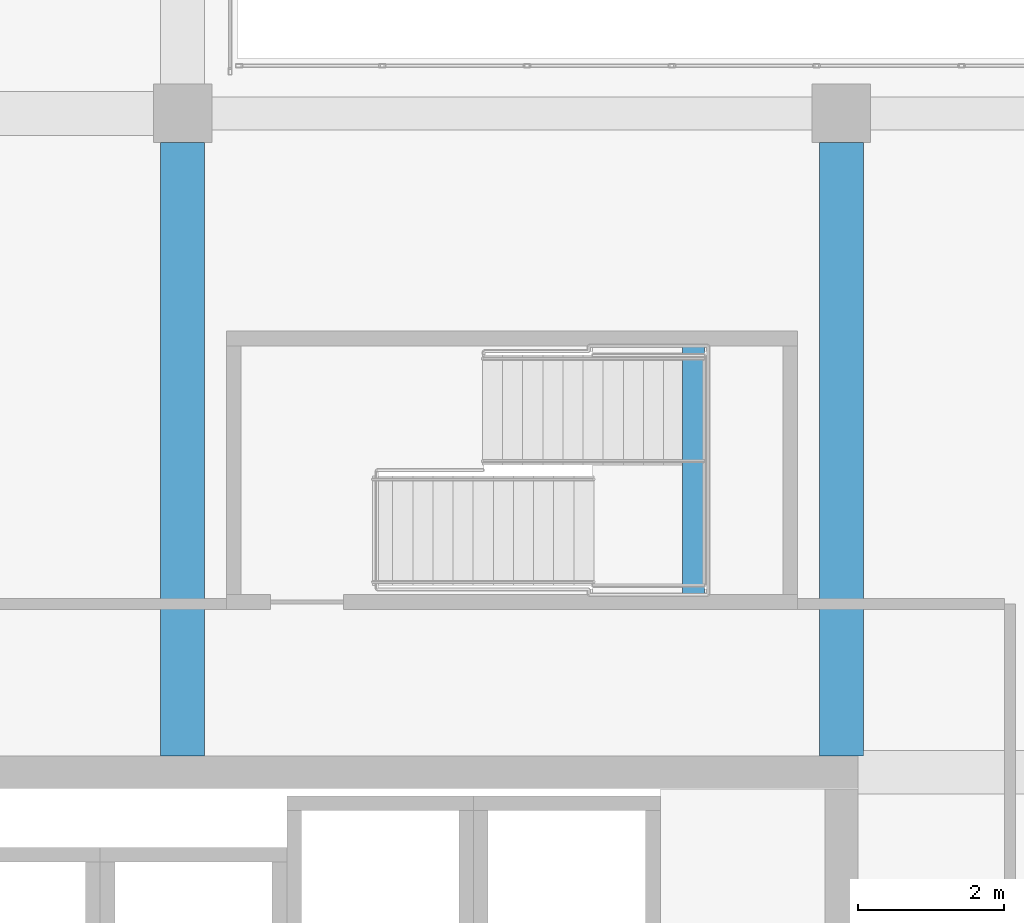
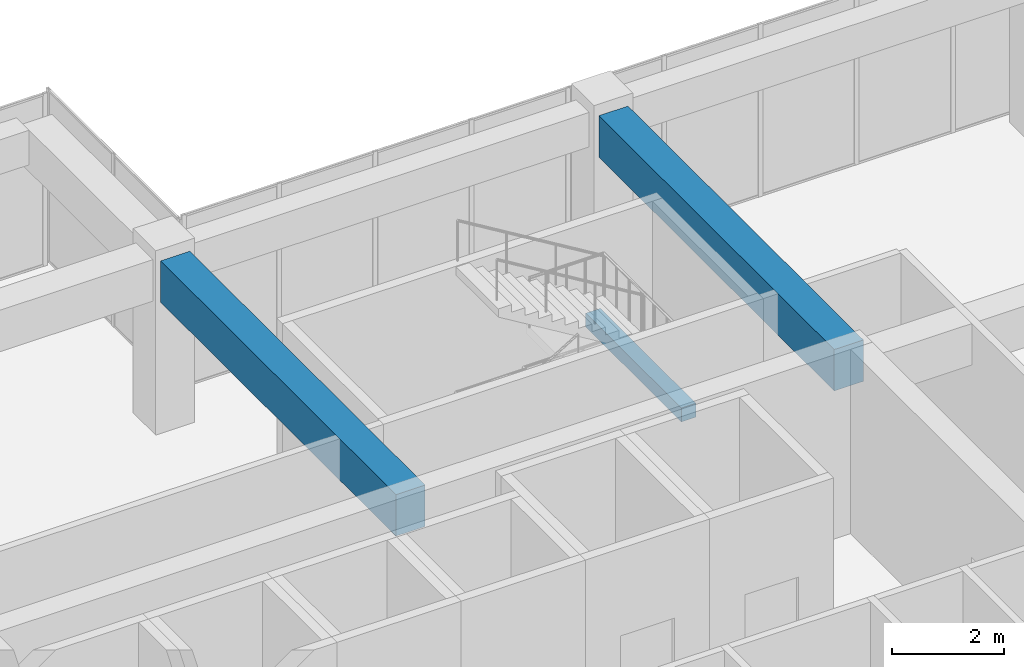
# One storey, part 34 of 65: 3 beams.
"""IFC4 building model written with IfcOpenShell, lengths in metres."""

import ifcopenshell
import ifcopenshell.guid

model = None  # the IFC model being written
_history = None  # IfcOwnerHistory: only IFC2X3 demands one
_inside = {}  # id of a spatial element -> (the spatial element, [elements in it])
_under = {}  # id of a project, library or spatial element -> (it, [spatial elements below it])
_declared = {}  # id of a project -> (the project, [libraries it declares])
_typed = {}  # id of a type object -> (the type object, [elements of that type])
_made_of = {}  # id of a material, layer set ... -> (it, [elements and type objects made of it])


def new_model(schema):
    """Start an empty IFC model of exactly this schema.

    Asked for "IFC4X3", IfcOpenShell would pick the latest addendum, in which some entities
    have other attributes; the version numbers below select the first issue.
    IFC2X3 requires an IfcOwnerHistory on every rooted entity: one is made here for all.
    """
    global model, _history
    if schema == "IFC4X3":
        model = ifcopenshell.file(schema_version=(4, 3, 0, 0))
    else:
        model = ifcopenshell.file(schema=schema)
    _inside.clear()
    _under.clear()
    _declared.clear()
    _typed.clear()
    _made_of.clear()
    _history = None
    if model.schema == "IFC2X3":
        org = make("IfcOrganization", Name="unknown")
        user = make(
            "IfcPersonAndOrganization",
            ThePerson=make("IfcPerson", FamilyName="unknown"),
            TheOrganization=org,
        )
        app = make(
            "IfcApplication",
            ApplicationDeveloper=org,
            Version="unknown",
            ApplicationFullName="unknown",
            ApplicationIdentifier="unknown",
        )
        _history = make(
            "IfcOwnerHistory",
            OwningUser=user,
            OwningApplication=app,
            ChangeAction="ADDED",
            CreationDate=0,
        )
    return model


def make(cls, **values):
    """One entity of the class cls with the attributes given. An attribute that is None is left unset."""
    return model.create_entity(
        cls, **{name: value for name, value in values.items() if value is not None}
    )


def rooted(cls, **values):
    """An entity with a GlobalId (a new one), such as an element, a storey or a relation."""
    return make(cls, GlobalId=ifcopenshell.guid.new(), OwnerHistory=_history, **values)


def si_unit(unit_type, name, prefix=None):
    """IfcSIUnit, for example si_unit("LENGTHUNIT", "METRE", prefix="MILLI")."""
    return make("IfcSIUnit", UnitType=unit_type, Prefix=prefix, Name=name)


def assignment(units):
    """IfcUnitAssignment: the units of a project."""
    return None if units is None else make("IfcUnitAssignment", Units=units)


def point(xyz):
    """IfcCartesianPoint."""
    return None if xyz is None else make("IfcCartesianPoint", Coordinates=xyz)


def direction(xyz):
    """IfcDirection."""
    return None if xyz is None else make("IfcDirection", DirectionRatios=xyz)


def frame(location, z_axis=None, x_axis=None):
    """IfcAxis2Placement3D, a coordinate frame: its origin and axes. An axis left out is left unset."""
    return make(
        "IfcAxis2Placement3D",
        Location=point(location),
        Axis=direction(z_axis),
        RefDirection=direction(x_axis),
    )


def frame_2d(location, x_axis=None):
    """IfcAxis2Placement2D, a coordinate frame in the plane: its origin and x axis."""
    return make(
        "IfcAxis2Placement2D", Location=point(location), RefDirection=direction(x_axis)
    )


def origin():
    """The frame at (0, 0, 0) with its axes left unset."""
    return frame((0.0, 0.0, 0.0))


def origin_2d():
    """The frame at (0, 0) in the plane with its x axis left unset."""
    return frame_2d((0.0, 0.0))


def place(relative_to, where):
    """IfcLocalPlacement: puts the frame where relative to a parent placement (None: the world)."""
    return make(
        "IfcLocalPlacement", PlacementRelTo=relative_to, RelativePlacement=where
    )


def context(
    kind, dimensions, precision=None, world=None, true_north=None, identifier=None
):
    """IfcGeometricRepresentationContext, for example the 3D "Model" context."""
    return make(
        "IfcGeometricRepresentationContext",
        ContextIdentifier=identifier,
        ContextType=kind,
        CoordinateSpaceDimension=dimensions,
        Precision=precision,
        WorldCoordinateSystem=world,
        TrueNorth=true_north,
    )


def subcontext(parent, identifier, kind, view, scale=None):
    """IfcGeometricRepresentationSubContext, for example "Body" below "Model"."""
    return make(
        "IfcGeometricRepresentationSubContext",
        ContextIdentifier=identifier,
        ContextType=kind,
        ParentContext=parent,
        TargetScale=scale,
        TargetView=view,
    )


def project(units=None, contexts=None):
    """IfcProject with its units and contexts."""
    return rooted(
        "IfcProject",
        Name="project",
        RepresentationContexts=contexts,
        UnitsInContext=assignment(units),
    )


def spatial(cls, under=None, at=None, **own):
    """A site, building, storey or space (cls), placed at a placement, below another one or the project."""
    s = rooted(cls, ObjectPlacement=at, **own)
    if under is not None:
        _under.setdefault(under.id(), (under, []))[1].append(s)
    return s


def profile(cls, at=None, kind="AREA", **sizes):
    """A parametric profile (cls). Its sizes go by their IFC names, for example OverallWidth=200.0."""
    return make(cls, ProfileType=kind, Position=at, **sizes)


def rectangle(**sizes):
    """IfcRectangleProfileDef."""
    return profile("IfcRectangleProfileDef", **sizes)


def extrude(swept, where, along, depth):
    """IfcExtrudedAreaSolid: the profile swept, set in the frame where, extruded along a direction by depth."""
    return make(
        "IfcExtrudedAreaSolid",
        SweptArea=swept,
        Position=where,
        ExtrudedDirection=direction(along),
        Depth=depth,
    )


def shape(context_of_items, identifier, shape_type, items):
    """IfcShapeRepresentation: the items that make up one representation, for example the "Body"."""
    return make(
        "IfcShapeRepresentation",
        ContextOfItems=context_of_items,
        RepresentationIdentifier=identifier,
        RepresentationType=shape_type,
        Items=items,
    )


def material(Name=None, Category=None):
    """IfcMaterial."""
    return make("IfcMaterial", Name=Name, Category=Category)


def material_profile(
    of_material, cross_section, Name=None, Category=None, Priority=None
):
    """IfcMaterialProfile: a cross section and its material."""
    return make(
        "IfcMaterialProfile",
        Name=Name,
        Material=of_material,
        Profile=cross_section,
        Priority=Priority,
        Category=Category,
    )


def profile_set(profiles, Name=None, composite=None):
    """IfcMaterialProfileSet."""
    return make(
        "IfcMaterialProfileSet",
        Name=Name,
        MaterialProfiles=profiles,
        CompositeProfile=composite,
    )


def made_of(thing, what):
    """Note that an element or type object is made of a material, layer set ...; save() writes the relation."""
    if what is not None:
        _made_of.setdefault(what.id(), (what, []))[1].append(thing)
    return thing


def type_object(cls, material=None, **own):
    """A type object (cls), such as IfcWallType, which elements share."""
    return made_of(rooted(cls, **own), material)


def element(
    cls,
    number,
    at=None,
    inside=None,
    cuts=None,
    type_object=None,
    material=None,
    context=None,
    identifier="Body",
    shape_type=None,
    held_by="IfcProductDefinitionShape",
    body=None,
    shapes=None,
    **own,
):
    """One element of the class cls, such as IfcWall. Its Tag is "e" and its number.

    at: its placement. inside: the storey or other place that contains it. cuts: it is an
    opening in that element (IfcRelVoidsElement). A single representation is given by context,
    identifier, shape_type and body (its items); several are given by shapes. held_by: the class
    of the entity that holds the representations. save() writes the other relations.
    """
    e = rooted(cls, Tag="e%d" % number, ObjectPlacement=at, **own)
    if body is not None:
        shapes = [shape(context, identifier, shape_type, body)]
    if shapes is not None:
        e.Representation = make(held_by, Representations=shapes)
    if inside is not None:
        _inside.setdefault(inside.id(), (inside, []))[1].append(e)
    if cuts is not None:
        rooted(
            "IfcRelVoidsElement", RelatingBuildingElement=cuts, RelatedOpeningElement=e
        )
    if type_object is not None:
        _typed.setdefault(type_object.id(), (type_object, []))[1].append(e)
    return made_of(e, material)


def aggregate(whole, parts):
    """IfcRelAggregates: a whole, such as a stair, and the parts it consists of."""
    return rooted("IfcRelAggregates", RelatingObject=whole, RelatedObjects=parts)


def save(model, path):
    """Write the relations noted so far, then the file.

    IfcRelAggregates (storeys below a building ...), IfcRelContainedInSpatialStructure (elements
    in a storey), IfcRelDefinesByType, IfcRelAssociatesMaterial and IfcRelDeclares: one each for
    every whole, place, type object, material and project.
    """
    for whole, parts in _under.values():
        aggregate(whole, parts)
    for where, things in _inside.values():
        rooted(
            "IfcRelContainedInSpatialStructure",
            RelatedElements=things,
            RelatingStructure=where,
        )
    for kind, things in _typed.values():
        rooted("IfcRelDefinesByType", RelatedObjects=things, RelatingType=kind)
    for what, things in _made_of.values():
        rooted("IfcRelAssociatesMaterial", RelatedObjects=things, RelatingMaterial=what)
    for by, libraries in _declared.values():
        rooted("IfcRelDeclares", RelatingContext=by, RelatedDefinitions=libraries)
    model.write(path)


model = new_model("IFC4")

# Units and contexts
model_context = context("Model", 3, precision=1e-05, world=origin(), true_north=direction((0.0, 1.0)))
body_context = subcontext(model_context, "Body", "Model", "MODEL_VIEW")
ifc_project = project(units=[si_unit("LENGTHUNIT", "METRE"), si_unit("AREAUNIT", "SQUARE_METRE"), si_unit("VOLUMEUNIT", "CUBIC_METRE"), si_unit("PLANEANGLEUNIT", "RADIAN"), si_unit("MASSUNIT", "GRAM", prefix="KILO")], contexts=[model_context])

# Site, building, storey
site_placement = place(None, origin())
site = spatial("IfcSite", under=ifc_project, at=site_placement, CompositionType="ELEMENT")
building_placement = place(site_placement, origin())
building = spatial("IfcBuilding", under=site, at=building_placement, Name="Tuart Plaza Theatre", CompositionType="ELEMENT")
storey_placement = place(building_placement, frame((0.0, 0.0, 9.5)))
storey = spatial("IfcBuildingStorey", under=building, at=storey_placement, Name="L02", CompositionType="ELEMENT", Elevation=9.5)

# Beams
ifc_material_1 = material(Name="Concrete N40 (40 MPa)", Category="concrete")
ifc_material_profile_1 = material_profile(ifc_material_1, rectangle(XDim=0.300048828125, YDim=0.300048828125, at=origin_2d()), Name="BEAM 300x300 Concrete N40 (40 MPa)")
ifc_profile_set_1 = profile_set([ifc_material_profile_1], Name="Concrete N40 (40 MPa)")
beam_type_1 = type_object("IfcBeamType", Name="BEAM 300x300 Concrete N40 (40 MPa)", PredefinedType="BEAM", material=ifc_profile_set_1)
beam_placement = place(storey_placement, frame((138.97998046875, 85.425048828125, 1.64990234375), z_axis=(0.0, 1.0, 0.0), x_axis=(-1.0, 0.0, 0.0)))
element("IfcBeam", 1, at=beam_placement, inside=storey, type_object=beam_type_1, Name="RB514", PredefinedType="BEAM", context=body_context, shape_type="SweptSolid", body=[
    extrude(rectangle(XDim=0.300048828125, YDim=0.300048828125, at=origin_2d()), origin(), (0.0, 0.0, 1.0), 3.39990234375),
])
ifc_material_2 = material(Name="Concrete N40 (40 MPa)", Category="concrete")
ifc_material_profile_2 = material_profile(ifc_material_2, rectangle(XDim=0.60009765625, YDim=0.89990234375, at=origin_2d()), Name="BEAM 600x900 Concrete N40 (40 MPa)")
ifc_profile_set_2 = profile_set([ifc_material_profile_2], Name="Concrete N40 (40 MPa)")
beam_type_2 = type_object("IfcBeamType", Name="BEAM 600x900 Concrete N40 (40 MPa)", PredefinedType="BEAM", material=ifc_profile_set_2)
for number, where, z_axis, x_axis, name in (
    (2, (132.0, 83.22509765625, 3.300048828125), (0.0, 1.0, 0.0), (-1.0, 0.0, 0.0), "RB185"),
    (3, (141.0, 83.22509765625, 3.300048828125), (0.0, 1.0, 0.0), (-1.0, 0.0, 0.0), "RB192"),
):
    element("IfcBeam", number, at=place(storey_placement, frame(where, z_axis=z_axis, x_axis=x_axis)), inside=storey, type_object=beam_type_2, Name=name, PredefinedType="BEAM", context=body_context, shape_type="SweptSolid", body=[
        extrude(rectangle(XDim=0.60009765625, YDim=0.89990234375, at=origin_2d()), origin(), (0.0, 0.0, 1.0), 8.375),
    ])

save(model, "model.ifc")
